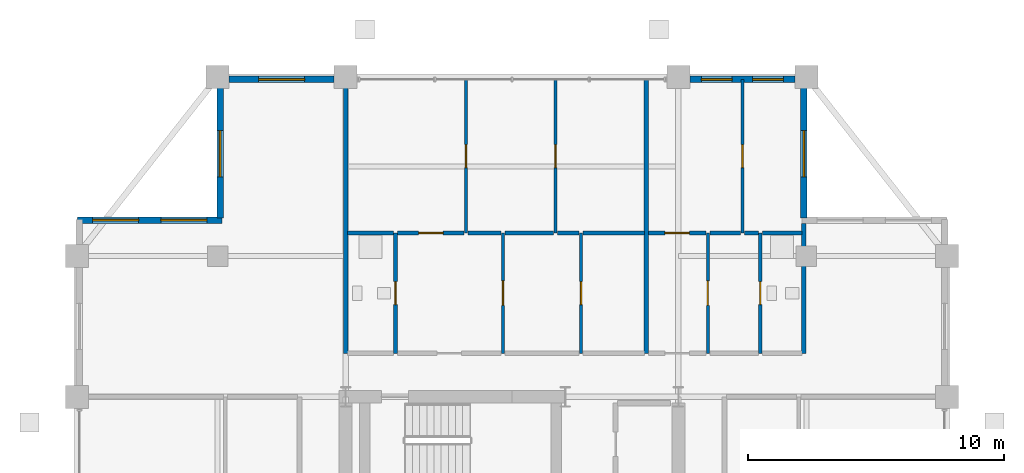
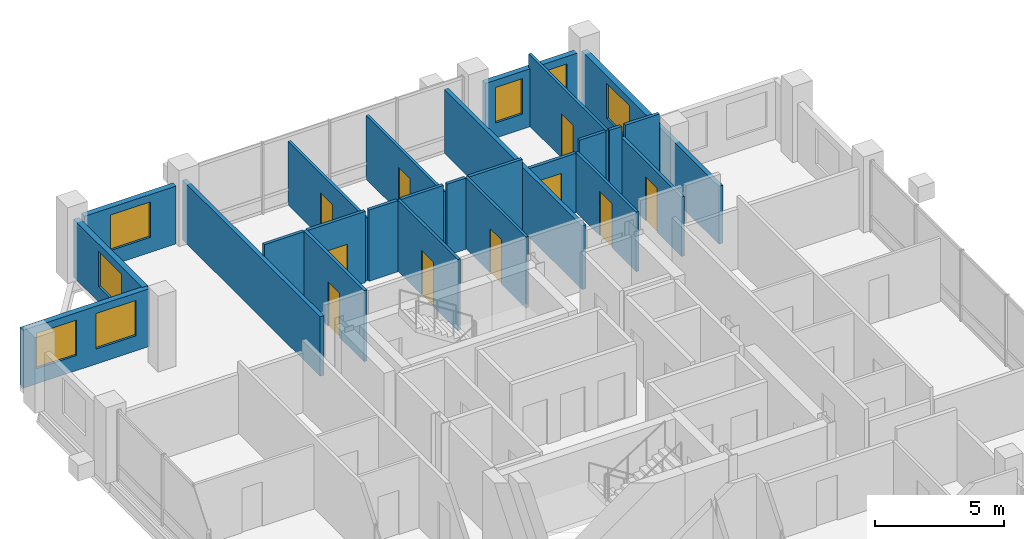
# One storey, part 19 of 22: 26 walls, 10 doors, 7 windows, 17 openings.
"""IFC4 building model written with IfcOpenShell, lengths in metres."""

import ifcopenshell
import ifcopenshell.guid

model = None  # the IFC model being written
_history = None  # IfcOwnerHistory: only IFC2X3 demands one
_inside = {}  # id of a spatial element -> (the spatial element, [elements in it])
_under = {}  # id of a project, library or spatial element -> (it, [spatial elements below it])
_declared = {}  # id of a project -> (the project, [libraries it declares])
_typed = {}  # id of a type object -> (the type object, [elements of that type])
_made_of = {}  # id of a material, layer set ... -> (it, [elements and type objects made of it])


def new_model(schema):
    """Start an empty IFC model of exactly this schema.

    Asked for "IFC4X3", IfcOpenShell would pick the latest addendum, in which some entities
    have other attributes; the version numbers below select the first issue.
    IFC2X3 requires an IfcOwnerHistory on every rooted entity: one is made here for all.
    """
    global model, _history
    if schema == "IFC4X3":
        model = ifcopenshell.file(schema_version=(4, 3, 0, 0))
    else:
        model = ifcopenshell.file(schema=schema)
    _inside.clear()
    _under.clear()
    _declared.clear()
    _typed.clear()
    _made_of.clear()
    _history = None
    if model.schema == "IFC2X3":
        org = make("IfcOrganization", Name="unknown")
        user = make(
            "IfcPersonAndOrganization",
            ThePerson=make("IfcPerson", FamilyName="unknown"),
            TheOrganization=org,
        )
        app = make(
            "IfcApplication",
            ApplicationDeveloper=org,
            Version="unknown",
            ApplicationFullName="unknown",
            ApplicationIdentifier="unknown",
        )
        _history = make(
            "IfcOwnerHistory",
            OwningUser=user,
            OwningApplication=app,
            ChangeAction="ADDED",
            CreationDate=0,
        )
    return model


def make(cls, **values):
    """One entity of the class cls with the attributes given. An attribute that is None is left unset."""
    return model.create_entity(
        cls, **{name: value for name, value in values.items() if value is not None}
    )


def rooted(cls, **values):
    """An entity with a GlobalId (a new one), such as an element, a storey or a relation."""
    return make(cls, GlobalId=ifcopenshell.guid.new(), OwnerHistory=_history, **values)


def si_unit(unit_type, name, prefix=None):
    """IfcSIUnit, for example si_unit("LENGTHUNIT", "METRE", prefix="MILLI")."""
    return make("IfcSIUnit", UnitType=unit_type, Prefix=prefix, Name=name)


def assignment(units):
    """IfcUnitAssignment: the units of a project."""
    return None if units is None else make("IfcUnitAssignment", Units=units)


def point(xyz):
    """IfcCartesianPoint."""
    return None if xyz is None else make("IfcCartesianPoint", Coordinates=xyz)


def direction(xyz):
    """IfcDirection."""
    return None if xyz is None else make("IfcDirection", DirectionRatios=xyz)


def frame(location, z_axis=None, x_axis=None):
    """IfcAxis2Placement3D, a coordinate frame: its origin and axes. An axis left out is left unset."""
    return make(
        "IfcAxis2Placement3D",
        Location=point(location),
        Axis=direction(z_axis),
        RefDirection=direction(x_axis),
    )


def frame_2d(location, x_axis=None):
    """IfcAxis2Placement2D, a coordinate frame in the plane: its origin and x axis."""
    return make(
        "IfcAxis2Placement2D", Location=point(location), RefDirection=direction(x_axis)
    )


def origin():
    """The frame at (0, 0, 0) with its axes left unset."""
    return frame((0.0, 0.0, 0.0))


def place(relative_to, where):
    """IfcLocalPlacement: puts the frame where relative to a parent placement (None: the world)."""
    return make(
        "IfcLocalPlacement", PlacementRelTo=relative_to, RelativePlacement=where
    )


def context(
    kind, dimensions, precision=None, world=None, true_north=None, identifier=None
):
    """IfcGeometricRepresentationContext, for example the 3D "Model" context."""
    return make(
        "IfcGeometricRepresentationContext",
        ContextIdentifier=identifier,
        ContextType=kind,
        CoordinateSpaceDimension=dimensions,
        Precision=precision,
        WorldCoordinateSystem=world,
        TrueNorth=true_north,
    )


def subcontext(parent, identifier, kind, view, scale=None):
    """IfcGeometricRepresentationSubContext, for example "Body" below "Model"."""
    return make(
        "IfcGeometricRepresentationSubContext",
        ContextIdentifier=identifier,
        ContextType=kind,
        ParentContext=parent,
        TargetScale=scale,
        TargetView=view,
    )


def project(units=None, contexts=None):
    """IfcProject with its units and contexts."""
    return rooted(
        "IfcProject",
        Name="project",
        RepresentationContexts=contexts,
        UnitsInContext=assignment(units),
    )


def spatial(cls, under=None, at=None, **own):
    """A site, building, storey or space (cls), placed at a placement, below another one or the project."""
    s = rooted(cls, ObjectPlacement=at, **own)
    if under is not None:
        _under.setdefault(under.id(), (under, []))[1].append(s)
    return s


def profile(cls, at=None, kind="AREA", **sizes):
    """A parametric profile (cls). Its sizes go by their IFC names, for example OverallWidth=200.0."""
    return make(cls, ProfileType=kind, Position=at, **sizes)


def rectangle(**sizes):
    """IfcRectangleProfileDef."""
    return profile("IfcRectangleProfileDef", **sizes)


def extrude(swept, where, along, depth):
    """IfcExtrudedAreaSolid: the profile swept, set in the frame where, extruded along a direction by depth."""
    return make(
        "IfcExtrudedAreaSolid",
        SweptArea=swept,
        Position=where,
        ExtrudedDirection=direction(along),
        Depth=depth,
    )


def shape(context_of_items, identifier, shape_type, items):
    """IfcShapeRepresentation: the items that make up one representation, for example the "Body"."""
    return make(
        "IfcShapeRepresentation",
        ContextOfItems=context_of_items,
        RepresentationIdentifier=identifier,
        RepresentationType=shape_type,
        Items=items,
    )


def material(Name=None, Category=None):
    """IfcMaterial."""
    return make("IfcMaterial", Name=Name, Category=Category)


def layer(
    of_material, thickness, ventilated=None, Name=None, Category=None, Priority=None
):
    """IfcMaterialLayer: one layer of a wall or slab, of a material (None: an air gap)."""
    return make(
        "IfcMaterialLayer",
        Material=of_material,
        LayerThickness=thickness,
        IsVentilated=ventilated,
        Name=Name,
        Category=Category,
        Priority=Priority,
    )


def layer_set(layers, Name=None):
    """IfcMaterialLayerSet."""
    return make("IfcMaterialLayerSet", MaterialLayers=layers, LayerSetName=Name)


def made_of(thing, what):
    """Note that an element or type object is made of a material, layer set ...; save() writes the relation."""
    if what is not None:
        _made_of.setdefault(what.id(), (what, []))[1].append(thing)
    return thing


def type_object(cls, material=None, **own):
    """A type object (cls), such as IfcWallType, which elements share."""
    return made_of(rooted(cls, **own), material)


def element(
    cls,
    number,
    at=None,
    inside=None,
    cuts=None,
    type_object=None,
    material=None,
    context=None,
    identifier="Body",
    shape_type=None,
    held_by="IfcProductDefinitionShape",
    body=None,
    shapes=None,
    **own,
):
    """One element of the class cls, such as IfcWall. Its Tag is "e" and its number.

    at: its placement. inside: the storey or other place that contains it. cuts: it is an
    opening in that element (IfcRelVoidsElement). A single representation is given by context,
    identifier, shape_type and body (its items); several are given by shapes. held_by: the class
    of the entity that holds the representations. save() writes the other relations.
    """
    e = rooted(cls, Tag="e%d" % number, ObjectPlacement=at, **own)
    if body is not None:
        shapes = [shape(context, identifier, shape_type, body)]
    if shapes is not None:
        e.Representation = make(held_by, Representations=shapes)
    if inside is not None:
        _inside.setdefault(inside.id(), (inside, []))[1].append(e)
    if cuts is not None:
        rooted(
            "IfcRelVoidsElement", RelatingBuildingElement=cuts, RelatedOpeningElement=e
        )
    if type_object is not None:
        _typed.setdefault(type_object.id(), (type_object, []))[1].append(e)
    return made_of(e, material)


def fill(opening, filler):
    """IfcRelFillsElement: the door or window that sits in an opening."""
    return rooted(
        "IfcRelFillsElement",
        RelatingOpeningElement=opening,
        RelatedBuildingElement=filler,
    )


def aggregate(whole, parts):
    """IfcRelAggregates: a whole, such as a stair, and the parts it consists of."""
    return rooted("IfcRelAggregates", RelatingObject=whole, RelatedObjects=parts)


def save(model, path):
    """Write the relations noted so far, then the file.

    IfcRelAggregates (storeys below a building ...), IfcRelContainedInSpatialStructure (elements
    in a storey), IfcRelDefinesByType, IfcRelAssociatesMaterial and IfcRelDeclares: one each for
    every whole, place, type object, material and project.
    """
    for whole, parts in _under.values():
        aggregate(whole, parts)
    for where, things in _inside.values():
        rooted(
            "IfcRelContainedInSpatialStructure",
            RelatedElements=things,
            RelatingStructure=where,
        )
    for kind, things in _typed.values():
        rooted("IfcRelDefinesByType", RelatedObjects=things, RelatingType=kind)
    for what, things in _made_of.values():
        rooted("IfcRelAssociatesMaterial", RelatedObjects=things, RelatingMaterial=what)
    for by, libraries in _declared.values():
        rooted("IfcRelDeclares", RelatingContext=by, RelatedDefinitions=libraries)
    model.write(path)


model = new_model("IFC4")

# Units and contexts
model_context = context("Model", 3, precision=1e-05, world=origin(), true_north=direction((0.0, 1.0)))
body_context = subcontext(model_context, "Body", "Model", "MODEL_VIEW")
ifc_project = project(units=[si_unit("LENGTHUNIT", "METRE"), si_unit("AREAUNIT", "SQUARE_METRE"), si_unit("VOLUMEUNIT", "CUBIC_METRE"), si_unit("PLANEANGLEUNIT", "RADIAN"), si_unit("MASSUNIT", "GRAM", prefix="KILO")], contexts=[model_context])

# Site, building, storey
site_placement = place(None, origin())
site = spatial("IfcSite", under=ifc_project, at=site_placement, CompositionType="ELEMENT")
building_placement = place(site_placement, origin())
building = spatial("IfcBuilding", under=site, at=building_placement, Name="Barlavira Tower and Art Museum", CompositionType="ELEMENT")
storey_placement = place(building_placement, frame((0.0, 0.0, 243.89990234375)))
storey = spatial("IfcBuildingStorey", under=building, at=storey_placement, Name="L63", CompositionType="ELEMENT", Elevation=243.89990234375)

# Wall, opening, door
ifc_material_1 = material(Name="Gypsum acoustic stud partition", Category="gypsum")
ifc_layer_1 = layer(ifc_material_1, 0.1201171875, Name="Gypsum acoustic stud partition")
ifc_layer_set_1 = layer_set([ifc_layer_1], Name="Gypsum acoustic stud partition")
wall_type_1 = type_object("IfcWallType", Name="Apartment Internal Acoustic Partition 120", PredefinedType="PARTITIONING", material=ifc_layer_set_1)
wall_1_placement = place(storey_placement, frame((-1.800048828125, 13.89990234375, 0.0), z_axis=(0.0, 0.0, 1.0), x_axis=(0.0, 1.0, 0.0)))
wall_1 = element("IfcWall", 1, at=wall_1_placement, inside=storey, type_object=wall_type_1, Name="L63 Partition Wall 10", PredefinedType="PARTITIONING", context=body_context, shape_type="SweptSolid", body=[
    extrude(rectangle(XDim=6.0, YDim=0.1201171875, at=frame_2d((3.0, 0.0))), origin(), (0.0, 0.0, 1.0), 3.01806640625),
])
opening_1_placement = place(wall_1_placement, frame((2.550048828125, 0.0, 0.0)))
opening_1 = element("IfcOpeningElement", 2, at=opening_1_placement, cuts=wall_1, Name="Opening D-01", PredefinedType="OPENING", context=body_context, shape_type="SweptSolid", body=[
    extrude(rectangle(XDim=0.89990234375, YDim=2.10009765625, at=frame_2d((0.449951171875, 1.050048828125))), frame((0.0, 0.070068359375, 0.0), z_axis=(0.0, -1.0, 0.0), x_axis=(1.0, 0.0, 0.0)), (0.0, 0.0, 1.0), 0.14013671875),
])
ifc_material_2 = material(Name="Engineered coastal hardwood", Category="wood")
door_type_1 = type_object("IfcDoorType", Name="Internal Bedroom Timber Flush Door 900x2100", OperationType="NOTDEFINED", PredefinedType="DOOR", material=ifc_material_2)
door_1_placement = place(opening_1_placement, origin())
door_1 = element("IfcDoor", 3, at=door_1_placement, inside=storey, type_object=door_type_1, Name="Apartment N1 Bedroom 1 Door", OperationType="SINGLE_SWING_LEFT", OverallHeight=2.10009765625, OverallWidth=0.89990234375, PredefinedType="DOOR", context=body_context, shape_type="SweptSolid", body=[
    extrude(rectangle(XDim=0.89990234375, YDim=2.10009765625, at=frame_2d((0.449951171875, 1.050048828125))), frame((0.0, 0.02490234375, 0.0), z_axis=(0.0, -1.0, 0.0), x_axis=(1.0, 0.0, 0.0)), (0.0, 0.0, 1.0), 0.050048828125),
])
fill(opening_1, door_1)

wall_2_placement = place(storey_placement, frame((-0.35009765625, 9.199951171875, 0.0), z_axis=(0.0, 0.0, 1.0), x_axis=(0.0, 1.0, 0.0)))
wall_2 = element("IfcWall", 4, at=wall_2_placement, inside=storey, type_object=wall_type_1, Name="L63 Partition Wall 12", PredefinedType="PARTITIONING", context=body_context, shape_type="SweptSolid", body=[
    extrude(rectangle(XDim=4.699951171875, YDim=0.1201171875, at=frame_2d((2.35009765625, 0.0))), origin(), (0.0, 0.0, 1.0), 3.380126953125),
])
opening_2_placement = place(wall_2_placement, frame((1.875, 0.0, 0.0)))
opening_2 = element("IfcOpeningElement", 5, at=opening_2_placement, cuts=wall_2, Name="Opening D-02", PredefinedType="OPENING", context=body_context, shape_type="SweptSolid", body=[
    extrude(rectangle(XDim=0.949951171875, YDim=2.10009765625, at=frame_2d((0.47509765625, 1.050048828125))), frame((0.0, 0.070068359375, 0.0), z_axis=(0.0, -1.0, 0.0), x_axis=(1.0, 0.0, 0.0)), (0.0, 0.0, 1.0), 0.14013671875),
])
door_type_2 = type_object("IfcDoorType", Name="Living and Salon Glazed-Leaf Door 950x2100", OperationType="NOTDEFINED", PredefinedType="DOOR", material=ifc_material_2)
door_2_placement = place(opening_2_placement, origin())
door_2 = element("IfcDoor", 6, at=door_2_placement, inside=storey, type_object=door_type_2, Name="Apartment N1 Kitchen Door", OperationType="SINGLE_SWING_RIGHT", OverallHeight=2.10009765625, OverallWidth=0.949951171875, PredefinedType="DOOR", context=body_context, shape_type="SweptSolid", body=[
    extrude(rectangle(XDim=0.949951171875, YDim=2.10009765625, at=frame_2d((0.47509765625, 1.050048828125))), frame((0.0, 0.02490234375, 0.0), z_axis=(0.0, -1.0, 0.0), x_axis=(1.0, 0.0, 0.0)), (0.0, 0.0, 1.0), 0.050048828125),
])
fill(opening_2, door_2)

wall_3_placement = place(storey_placement, frame((1.699951171875, 13.89990234375, 0.0), z_axis=(0.0, 0.0, 1.0), x_axis=(0.0, 1.0, 0.0)))
wall_3 = element("IfcWall", 7, at=wall_3_placement, inside=storey, type_object=wall_type_1, Name="L63 Partition Wall 14", PredefinedType="PARTITIONING", context=body_context, shape_type="SweptSolid", body=[
    extrude(rectangle(XDim=6.0, YDim=0.1201171875, at=frame_2d((3.0, 0.0))), origin(), (0.0, 0.0, 1.0), 3.01806640625),
])
opening_3_placement = place(wall_3_placement, frame((2.550048828125, 0.0, 0.0)))
opening_3 = element("IfcOpeningElement", 8, at=opening_3_placement, cuts=wall_3, Name="Opening D-01", PredefinedType="OPENING", context=body_context, shape_type="SweptSolid", body=[
    extrude(rectangle(XDim=0.89990234375, YDim=2.10009765625, at=frame_2d((0.449951171875, 1.050048828125))), frame((0.0, 0.070068359375, 0.0), z_axis=(0.0, -1.0, 0.0), x_axis=(1.0, 0.0, 0.0)), (0.0, 0.0, 1.0), 0.14013671875),
])
door_3_placement = place(opening_3_placement, origin())
door_3 = element("IfcDoor", 9, at=door_3_placement, inside=storey, type_object=door_type_1, Name="Apartment N1 Bedroom 2 Door", OperationType="SINGLE_SWING_RIGHT", OverallHeight=2.10009765625, OverallWidth=0.89990234375, PredefinedType="DOOR", context=body_context, shape_type="SweptSolid", body=[
    extrude(rectangle(XDim=0.89990234375, YDim=2.10009765625, at=frame_2d((0.449951171875, 1.050048828125))), frame((0.0, 0.02490234375, 0.0), z_axis=(0.0, -1.0, 0.0), x_axis=(1.0, 0.0, 0.0)), (0.0, 0.0, 1.0), 0.050048828125),
])
fill(opening_3, door_3)

wall_4_placement = place(storey_placement, frame((2.699951171875, 9.199951171875, 0.0), z_axis=(0.0, 0.0, 1.0), x_axis=(0.0, 1.0, 0.0)))
wall_4 = element("IfcWall", 10, at=wall_4_placement, inside=storey, type_object=wall_type_1, Name="L63 Partition Wall 16", PredefinedType="PARTITIONING", context=body_context, shape_type="SweptSolid", body=[
    extrude(rectangle(XDim=4.699951171875, YDim=0.1201171875, at=frame_2d((2.35009765625, 0.0))), origin(), (0.0, 0.0, 1.0), 3.380126953125),
])
opening_4_placement = place(wall_4_placement, frame((1.89990234375, 0.0, 0.0)))
opening_4 = element("IfcOpeningElement", 11, at=opening_4_placement, cuts=wall_4, Name="Opening D-01", PredefinedType="OPENING", context=body_context, shape_type="SweptSolid", body=[
    extrude(rectangle(XDim=0.89990234375, YDim=2.10009765625, at=frame_2d((0.449951171875, 1.050048828125))), frame((0.0, 0.070068359375, 0.0), z_axis=(0.0, -1.0, 0.0), x_axis=(1.0, 0.0, 0.0)), (0.0, 0.0, 1.0), 0.14013671875),
])
door_4_placement = place(opening_4_placement, origin())
door_4 = element("IfcDoor", 12, at=door_4_placement, inside=storey, type_object=door_type_1, Name="Apartment N1 Walk-In Dressing Room Door", OperationType="SINGLE_SWING_LEFT", OverallHeight=2.10009765625, OverallWidth=0.89990234375, PredefinedType="DOOR", context=body_context, shape_type="SweptSolid", body=[
    extrude(rectangle(XDim=0.89990234375, YDim=2.10009765625, at=frame_2d((0.449951171875, 1.050048828125))), frame((0.0, 0.02490234375, 0.0), z_axis=(0.0, -1.0, 0.0), x_axis=(1.0, 0.0, 0.0)), (0.0, 0.0, 1.0), 0.050048828125),
])
fill(opening_4, door_4)

wall_5_placement = place(storey_placement, frame((7.64990234375, 9.199951171875, 0.0), z_axis=(0.0, 0.0, 1.0), x_axis=(0.0, 1.0, 0.0)))
wall_5 = element("IfcWall", 13, at=wall_5_placement, inside=storey, type_object=wall_type_1, Name="L63 Partition Wall 22", PredefinedType="PARTITIONING", context=body_context, shape_type="SweptSolid", body=[
    extrude(rectangle(XDim=4.699951171875, YDim=0.1201171875, at=frame_2d((2.35009765625, 0.0))), origin(), (0.0, 0.0, 1.0), 2.826171875),
])
opening_5_placement = place(wall_5_placement, frame((1.875, 0.0, 0.0)))
opening_5 = element("IfcOpeningElement", 14, at=opening_5_placement, cuts=wall_5, Name="Opening D-02", PredefinedType="OPENING", context=body_context, shape_type="SweptSolid", body=[
    extrude(rectangle(XDim=0.949951171875, YDim=2.10009765625, at=frame_2d((0.47509765625, 1.050048828125))), frame((0.0, 0.070068359375, 0.0), z_axis=(0.0, -1.0, 0.0), x_axis=(1.0, 0.0, 0.0)), (0.0, 0.0, 1.0), 0.14013671875),
])
door_5_placement = place(opening_5_placement, origin())
door_5 = element("IfcDoor", 15, at=door_5_placement, inside=storey, type_object=door_type_2, Name="Apartment N2 Kitchen Door", OperationType="SINGLE_SWING_RIGHT", OverallHeight=2.10009765625, OverallWidth=0.949951171875, PredefinedType="DOOR", context=body_context, shape_type="SweptSolid", body=[
    extrude(rectangle(XDim=0.949951171875, YDim=2.10009765625, at=frame_2d((0.47509765625, 1.050048828125))), frame((0.0, 0.02490234375, 0.0), z_axis=(0.0, -1.0, 0.0), x_axis=(1.0, 0.0, 0.0)), (0.0, 0.0, 1.0), 0.050048828125),
])
fill(opening_5, door_5)

wall_6_placement = place(storey_placement, frame((9.0, 13.89990234375, 0.0), z_axis=(0.0, 0.0, 1.0), x_axis=(0.0, 1.0, 0.0)))
wall_6 = element("IfcWall", 16, at=wall_6_placement, inside=storey, type_object=wall_type_1, Name="L63 Partition Wall 25", PredefinedType="PARTITIONING", context=body_context, shape_type="SweptSolid", body=[
    extrude(rectangle(XDim=6.0, YDim=0.1201171875, at=frame_2d((3.0, 0.0))), origin(), (0.0, 0.0, 1.0), 3.380126953125),
])
opening_6_placement = place(wall_6_placement, frame((2.550048828125, 0.0, 0.0)))
opening_6 = element("IfcOpeningElement", 17, at=opening_6_placement, cuts=wall_6, Name="Opening D-01", PredefinedType="OPENING", context=body_context, shape_type="SweptSolid", body=[
    extrude(rectangle(XDim=0.89990234375, YDim=2.10009765625, at=frame_2d((0.449951171875, 1.050048828125))), frame((0.0, 0.070068359375, 0.0), z_axis=(0.0, -1.0, 0.0), x_axis=(1.0, 0.0, 0.0)), (0.0, 0.0, 1.0), 0.14013671875),
])
door_6_placement = place(opening_6_placement, origin())
door_6 = element("IfcDoor", 18, at=door_6_placement, inside=storey, type_object=door_type_1, Name="Apartment N2 Bedroom 1 Door", OperationType="SINGLE_SWING_LEFT", OverallHeight=2.10009765625, OverallWidth=0.89990234375, PredefinedType="DOOR", context=body_context, shape_type="SweptSolid", body=[
    extrude(rectangle(XDim=0.89990234375, YDim=2.10009765625, at=frame_2d((0.449951171875, 1.050048828125))), frame((0.0, 0.02490234375, 0.0), z_axis=(0.0, -1.0, 0.0), x_axis=(1.0, 0.0, 0.0)), (0.0, 0.0, 1.0), 0.050048828125),
])
fill(opening_6, door_6)

# Walls
ifc_layer_2 = layer(ifc_material_1, 0.179931640625, Name="Gypsum acoustic stud partition")
ifc_layer_set_2 = layer_set([ifc_layer_2], Name="Gypsum acoustic stud partition")
wall_type_2 = type_object("IfcWallType", Name="Inter-Tenancy Party Partition Wall 180", PredefinedType="PARTITIONING", material=ifc_layer_set_2)
wall_7_placement = place(storey_placement, frame((-6.5, 9.199951171875, 0.0), z_axis=(0.0, 0.0, 1.0), x_axis=(0.0, 1.0, 0.0)))
element("IfcWall", 19, at=wall_7_placement, inside=storey, type_object=wall_type_2, Name="L63 Partition Wall 4", PredefinedType="PARTITIONING", context=body_context, shape_type="SweptSolid", body=[
    extrude(rectangle(XDim=10.699951171875, YDim=0.179931640625, at=frame_2d((5.35009765625, 0.0))), origin(), (0.0, 0.0, 1.0), 2.826171875),
])
wall_8_placement = place(storey_placement, frame((5.25, 9.199951171875, 0.0), z_axis=(0.0, 0.0, 1.0), x_axis=(0.0, 1.0, 0.0)))
element("IfcWall", 20, at=wall_8_placement, inside=storey, type_object=wall_type_2, Name="L63 Partition Wall 20", PredefinedType="PARTITIONING", context=body_context, shape_type="SweptSolid", body=[
    extrude(rectangle(XDim=10.699951171875, YDim=0.179931640625, at=frame_2d((5.35009765625, 0.0))), origin(), (0.0, 0.0, 1.0), 3.01806640625),
])
wall_9_placement = place(storey_placement, frame((11.39990234375, 9.199951171875, 0.0), z_axis=(0.0, 0.0, 1.0), x_axis=(0.0, 1.0, 0.0)))
element("IfcWall", 21, at=wall_9_placement, inside=storey, type_object=wall_type_2, Name="L63 Partition Wall 29", PredefinedType="PARTITIONING", context=body_context, shape_type="SweptSolid", body=[
    extrude(rectangle(XDim=5.070068359375, YDim=0.179931640625, at=frame_2d((2.53515625, 0.0))), origin(), (0.0, 0.0, 1.0), 2.748046875),
])

# Wall, opening, door
ifc_layer_3 = layer(ifc_material_1, 0.139892578125, Name="Gypsum acoustic stud partition")
ifc_layer_set_3 = layer_set([ifc_layer_3], Name="Gypsum acoustic stud partition")
wall_type_3 = type_object("IfcWallType", Name="Moisture-Resistant Bathroom Partition 140", PredefinedType="PARTITIONING", material=ifc_layer_set_3)
wall_10_placement = place(storey_placement, frame((-4.550048828125, 9.199951171875, 0.0), z_axis=(0.0, 0.0, 1.0), x_axis=(0.0, 1.0, 0.0)))
wall_10 = element("IfcWall", 22, at=wall_10_placement, inside=storey, type_object=wall_type_3, Name="L63 Partition Wall 7", PredefinedType="PARTITIONING", context=body_context, shape_type="SweptSolid", body=[
    extrude(rectangle(XDim=4.699951171875, YDim=0.139892578125, at=frame_2d((2.35009765625, 0.0))), origin(), (0.0, 0.0, 1.0), 3.380126953125),
])
opening_7_placement = place(wall_10_placement, frame((1.89990234375, 0.0, 0.0)))
opening_7 = element("IfcOpeningElement", 23, at=opening_7_placement, cuts=wall_10, Name="Opening D-WC", PredefinedType="OPENING", context=body_context, shape_type="SweptSolid", body=[
    extrude(rectangle(XDim=0.89990234375, YDim=2.10009765625, at=frame_2d((0.449951171875, 1.050048828125))), frame((0.0, 0.080078125, 0.0), z_axis=(0.0, -1.0, 0.0), x_axis=(1.0, 0.0, 0.0)), (0.0, 0.0, 1.0), 0.159912109375),
])
door_type_3 = type_object("IfcDoorType", Name="Accessible Bathroom Flush Door 900x2100", OperationType="NOTDEFINED", PredefinedType="DOOR", material=ifc_material_2)
door_7_placement = place(opening_7_placement, origin())
door_7 = element("IfcDoor", 24, at=door_7_placement, inside=storey, type_object=door_type_3, Name="Apartment N1 Hall Bathroom Door", OperationType="SINGLE_SWING_RIGHT", OverallHeight=2.10009765625, OverallWidth=0.89990234375, PredefinedType="DOOR", context=body_context, shape_type="SweptSolid", body=[
    extrude(rectangle(XDim=0.89990234375, YDim=2.10009765625, at=frame_2d((0.449951171875, 1.050048828125))), frame((0.0, 0.02490234375, 0.0), z_axis=(0.0, -1.0, 0.0), x_axis=(1.0, 0.0, 0.0)), (0.0, 0.0, 1.0), 0.050048828125),
])
fill(opening_7, door_7)

wall_11_placement = place(storey_placement, frame((9.699951171875, 9.199951171875, 0.0), z_axis=(0.0, 0.0, 1.0), x_axis=(0.0, 1.0, 0.0)))
wall_11 = element("IfcWall", 25, at=wall_11_placement, inside=storey, type_object=wall_type_3, Name="L63 Partition Wall 26", PredefinedType="PARTITIONING", context=body_context, shape_type="SweptSolid", body=[
    extrude(rectangle(XDim=4.699951171875, YDim=0.139892578125, at=frame_2d((2.35009765625, 0.0))), origin(), (0.0, 0.0, 1.0), 2.826171875),
])
opening_8_placement = place(wall_11_placement, frame((1.89990234375, 0.0, 0.0)))
opening_8 = element("IfcOpeningElement", 26, at=opening_8_placement, cuts=wall_11, Name="Opening D-WC", PredefinedType="OPENING", context=body_context, shape_type="SweptSolid", body=[
    extrude(rectangle(XDim=0.89990234375, YDim=2.10009765625, at=frame_2d((0.449951171875, 1.050048828125))), frame((0.0, 0.080078125, 0.0), z_axis=(0.0, -1.0, 0.0), x_axis=(1.0, 0.0, 0.0)), (0.0, 0.0, 1.0), 0.159912109375),
])
door_8_placement = place(opening_8_placement, origin())
door_8 = element("IfcDoor", 27, at=door_8_placement, inside=storey, type_object=door_type_3, Name="Apartment N2 Hall Bathroom Door", OperationType="SINGLE_SWING_LEFT", OverallHeight=2.10009765625, OverallWidth=0.89990234375, PredefinedType="DOOR", context=body_context, shape_type="SweptSolid", body=[
    extrude(rectangle(XDim=0.89990234375, YDim=2.10009765625, at=frame_2d((0.449951171875, 1.050048828125))), frame((0.0, 0.02490234375, 0.0), z_axis=(0.0, -1.0, 0.0), x_axis=(1.0, 0.0, 0.0)), (0.0, 0.0, 1.0), 0.050048828125),
])
fill(opening_8, door_8)

# Wall
wall_12_placement = place(storey_placement, frame((-6.419921875, 13.89990234375, 0.0), z_axis=(0.0, 0.0, 1.0), x_axis=(1.0, 0.0, 0.0)))
element("IfcWall", 28, at=wall_12_placement, inside=storey, type_object=wall_type_3, Name="L63 Partition Wall 74", PredefinedType="PARTITIONING", context=body_context, shape_type="SweptSolid", body=[
    extrude(rectangle(XDim=1.7900390625, YDim=0.139892578125, at=frame_2d((0.89501953125, 0.0))), origin(), (0.0, 0.0, 1.0), 3.380126953125),
])

# Wall, opening, door
wall_13_placement = place(storey_placement, frame((-4.469970703125, 13.89990234375, 0.0), z_axis=(0.0, 0.0, 1.0), x_axis=(1.0, 0.0, 0.0)))
wall_13 = element("IfcWall", 29, at=wall_13_placement, inside=storey, type_object=wall_type_3, Name="L63 Partition Wall 75", PredefinedType="PARTITIONING", context=body_context, shape_type="SweptSolid", body=[
    extrude(rectangle(XDim=2.590087890625, YDim=0.139892578125, at=frame_2d((1.294921875, 0.0))), origin(), (0.0, 0.0, 1.0), 3.380126953125),
])
opening_9_placement = place(wall_13_placement, frame((0.824951171875, 0.0, 0.0)))
opening_9 = element("IfcOpeningElement", 30, at=opening_9_placement, cuts=wall_13, Name="Opening D-02", PredefinedType="OPENING", context=body_context, shape_type="SweptSolid", body=[
    extrude(rectangle(XDim=0.949951171875, YDim=2.10009765625, at=frame_2d((0.47509765625, 1.050048828125))), frame((0.0, 0.080078125, 0.0), z_axis=(0.0, -1.0, 0.0), x_axis=(1.0, 0.0, 0.0)), (0.0, 0.0, 1.0), 0.159912109375),
])
door_9_placement = place(opening_9_placement, origin())
door_9 = element("IfcDoor", 31, at=door_9_placement, inside=storey, type_object=door_type_2, Name="Apartment N1 Living Lounge Door", OperationType="SINGLE_SWING_RIGHT", OverallHeight=2.10009765625, OverallWidth=0.949951171875, PredefinedType="DOOR", context=body_context, shape_type="SweptSolid", body=[
    extrude(rectangle(XDim=0.949951171875, YDim=2.10009765625, at=frame_2d((0.47509765625, 1.050048828125))), frame((0.0, 0.02490234375, 0.0), z_axis=(0.0, -1.0, 0.0), x_axis=(1.0, 0.0, 0.0)), (0.0, 0.0, 1.0), 0.050048828125),
])
fill(opening_9, door_9)

# Walls
wall_14_placement = place(storey_placement, frame((-1.719970703125, 13.89990234375, 0.0), z_axis=(0.0, 0.0, 1.0), x_axis=(1.0, 0.0, 0.0)))
element("IfcWall", 32, at=wall_14_placement, inside=storey, type_object=wall_type_3, Name="L63 Partition Wall 76", PredefinedType="PARTITIONING", context=body_context, shape_type="SweptSolid", body=[
    extrude(rectangle(XDim=1.2900390625, YDim=0.139892578125, at=frame_2d((0.64501953125, 0.0))), origin(), (0.0, 0.0, 1.0), 3.380126953125),
])
wall_15_placement = place(storey_placement, frame((-0.27001953125, 13.89990234375, 0.0), z_axis=(0.0, 0.0, 1.0), x_axis=(1.0, 0.0, 0.0)))
element("IfcWall", 33, at=wall_15_placement, inside=storey, type_object=wall_type_3, Name="L63 Partition Wall 77", PredefinedType="PARTITIONING", context=body_context, shape_type="SweptSolid", body=[
    extrude(rectangle(XDim=1.89013671875, YDim=0.139892578125, at=frame_2d((0.945068359375, 0.0))), origin(), (0.0, 0.0, 1.0), 3.380126953125),
])
wall_16_placement = place(storey_placement, frame((1.780029296875, 13.89990234375, 0.0), z_axis=(0.0, 0.0, 1.0), x_axis=(1.0, 0.0, 0.0)))
element("IfcWall", 34, at=wall_16_placement, inside=storey, type_object=wall_type_3, Name="L63 Partition Wall 78", PredefinedType="PARTITIONING", context=body_context, shape_type="SweptSolid", body=[
    extrude(rectangle(XDim=0.840087890625, YDim=0.139892578125, at=frame_2d((0.419921875, 0.0))), origin(), (0.0, 0.0, 1.0), 3.380126953125),
])
wall_17_placement = place(storey_placement, frame((2.780029296875, 13.89990234375, 0.0), z_axis=(0.0, 0.0, 1.0), x_axis=(1.0, 0.0, 0.0)))
element("IfcWall", 35, at=wall_17_placement, inside=storey, type_object=wall_type_3, Name="L63 Partition Wall 79", PredefinedType="PARTITIONING", context=body_context, shape_type="SweptSolid", body=[
    extrude(rectangle(XDim=2.389892578125, YDim=0.139892578125, at=frame_2d((1.19482421875, 0.0))), origin(), (0.0, 0.0, 1.0), 3.380126953125),
])

# Wall, opening, door
wall_18_placement = place(storey_placement, frame((5.330078125, 13.89990234375, 0.0), z_axis=(0.0, 0.0, 1.0), x_axis=(1.0, 0.0, 0.0)))
wall_18 = element("IfcWall", 36, at=wall_18_placement, inside=storey, type_object=wall_type_3, Name="L63 Partition Wall 80", PredefinedType="PARTITIONING", context=body_context, shape_type="SweptSolid", body=[
    extrude(rectangle(XDim=2.239990234375, YDim=0.139892578125, at=frame_2d((1.1201171875, 0.0))), origin(), (0.0, 0.0, 1.0), 2.826171875),
])
opening_10_placement = place(wall_18_placement, frame((0.64501953125, 0.0, 0.0)))
opening_10 = element("IfcOpeningElement", 37, at=opening_10_placement, cuts=wall_18, Name="Opening D-02", PredefinedType="OPENING", context=body_context, shape_type="SweptSolid", body=[
    extrude(rectangle(XDim=0.949951171875, YDim=2.10009765625, at=frame_2d((0.47509765625, 1.050048828125))), frame((0.0, 0.080078125, 0.0), z_axis=(0.0, -1.0, 0.0), x_axis=(1.0, 0.0, 0.0)), (0.0, 0.0, 1.0), 0.159912109375),
])
door_10_placement = place(opening_10_placement, origin())
door_10 = element("IfcDoor", 38, at=door_10_placement, inside=storey, type_object=door_type_2, Name="Apartment N2 Living Lounge Door", OperationType="SINGLE_SWING_RIGHT", OverallHeight=2.10009765625, OverallWidth=0.949951171875, PredefinedType="DOOR", context=body_context, shape_type="SweptSolid", body=[
    extrude(rectangle(XDim=0.949951171875, YDim=2.10009765625, at=frame_2d((0.47509765625, 1.050048828125))), frame((0.0, 0.02490234375, 0.0), z_axis=(0.0, -1.0, 0.0), x_axis=(1.0, 0.0, 0.0)), (0.0, 0.0, 1.0), 0.050048828125),
])
fill(opening_10, door_10)

# Walls
wall_19_placement = place(storey_placement, frame((7.72998046875, 13.89990234375, 0.0), z_axis=(0.0, 0.0, 1.0), x_axis=(1.0, 0.0, 0.0)))
element("IfcWall", 39, at=wall_19_placement, inside=storey, type_object=wall_type_3, Name="L63 Partition Wall 81", PredefinedType="PARTITIONING", context=body_context, shape_type="SweptSolid", body=[
    extrude(rectangle(XDim=1.18994140625, YDim=0.139892578125, at=frame_2d((0.594970703125, 0.0))), origin(), (0.0, 0.0, 1.0), 3.380126953125),
])
wall_20_placement = place(storey_placement, frame((9.080078125, 13.89990234375, 0.0), z_axis=(0.0, 0.0, 1.0), x_axis=(1.0, 0.0, 0.0)))
element("IfcWall", 40, at=wall_20_placement, inside=storey, type_object=wall_type_3, Name="L63 Partition Wall 82", PredefinedType="PARTITIONING", context=body_context, shape_type="SweptSolid", body=[
    extrude(rectangle(XDim=0.5400390625, YDim=0.139892578125, at=frame_2d((0.27001953125, 0.0))), origin(), (0.0, 0.0, 1.0), 3.380126953125),
])
wall_21_placement = place(storey_placement, frame((9.780029296875, 13.89990234375, 0.0), z_axis=(0.0, 0.0, 1.0), x_axis=(1.0, 0.0, 0.0)))
element("IfcWall", 41, at=wall_21_placement, inside=storey, type_object=wall_type_3, Name="L63 Partition Wall 83", PredefinedType="PARTITIONING", context=body_context, shape_type="SweptSolid", body=[
    extrude(rectangle(XDim=1.5400390625, YDim=0.139892578125, at=frame_2d((0.77001953125, 0.0))), origin(), (0.0, 0.0, 1.0), 3.380126953125),
])

# Wall, openings, windows
ifc_material_3 = material(Name="Precast concrete C40", Category="concrete")
ifc_layer_4 = layer(ifc_material_3, 0.25, Name="Precast concrete C40")
ifc_layer_set_4 = layer_set([ifc_layer_4], Name="Precast concrete C40")
wall_type_4 = type_object("IfcWallType", Name="Notched Corner Spandrel Wall 250 Precast Concrete C40", PredefinedType="SOLIDWALL", material=ifc_layer_set_4)
wall_22_placement = place(storey_placement, frame((11.054931640625, 19.89990234375, 0.0), z_axis=(0.0, 0.0, 1.0), x_axis=(-1.0, 0.0, 0.0)))
wall_22 = element("IfcWall", 42, at=wall_22_placement, inside=storey, type_object=wall_type_4, Name="L63 Coastal Facade Pier Wall CW4-L63-N-1", PredefinedType="SOLIDWALL", context=body_context, shape_type="SweptSolid", body=[
    extrude(rectangle(XDim=4.10986328125, YDim=0.25, at=frame_2d((2.054931640625, 0.0))), origin(), (0.0, 0.0, 1.0), 2.748046875),
])
opening_11_placement = place(wall_22_placement, frame((0.449951171875, 0.0, 0.719970703125)))
opening_11 = element("IfcOpeningElement", 43, at=opening_11_placement, cuts=wall_22, Name="Opening WN-05", PredefinedType="OPENING", context=body_context, shape_type="SweptSolid", body=[
    extrude(rectangle(XDim=1.199951171875, YDim=1.679931640625, at=frame_2d((0.60009765625, 0.83984375))), frame((0.0, 0.135009765625, 0.0), z_axis=(0.0, -1.0, 0.0), x_axis=(1.0, 0.0, 0.0)), (0.0, 0.0, 1.0), 0.27001953125),
])
opening_12_placement = place(wall_22_placement, frame((2.4599609375, 0.0, 0.719970703125)))
opening_12 = element("IfcOpeningElement", 44, at=opening_12_placement, cuts=wall_22, Name="Opening WN-05", PredefinedType="OPENING", context=body_context, shape_type="SweptSolid", body=[
    extrude(rectangle(XDim=1.199951171875, YDim=1.679931640625, at=frame_2d((0.60009765625, 0.83984375))), frame((0.0, 0.135009765625, 0.0), z_axis=(0.0, -1.0, 0.0), x_axis=(1.0, 0.0, 0.0)), (0.0, 0.0, 1.0), 0.27001953125),
])
ifc_material_4 = material(Name="Low-iron coastal laminated glass", Category="glass")
window_type_1 = type_object("IfcWindowType", Name="Recessed Flank Pier Punch Window 1200x1680", PartitioningType="SINGLE_PANEL", PredefinedType="WINDOW", material=ifc_material_4)
window_1_placement = place(opening_11_placement, origin())
window_1 = element("IfcWindow", 45, at=window_1_placement, inside=storey, type_object=window_type_1, Name="L63 Punched Facade Window EWP-CW4-L63-N-1-1", OverallHeight=1.679931640625, OverallWidth=1.199951171875, PartitioningType="SINGLE_PANEL", PredefinedType="WINDOW", context=body_context, shape_type="SweptSolid", body=[
    extrude(rectangle(XDim=1.199951171875, YDim=1.679931640625, at=frame_2d((0.60009765625, 0.83984375))), frame((0.0, 0.030029296875, 0.0), z_axis=(0.0, -1.0, 0.0), x_axis=(1.0, 0.0, 0.0)), (0.0, 0.0, 1.0), 0.06005859375),
])
fill(opening_11, window_1)
window_2_placement = place(opening_12_placement, origin())
window_2 = element("IfcWindow", 46, at=window_2_placement, inside=storey, type_object=window_type_1, Name="L63 Punched Facade Window EWP-CW4-L63-N-1-2", OverallHeight=1.679931640625, OverallWidth=1.199951171875, PartitioningType="SINGLE_PANEL", PredefinedType="WINDOW", context=body_context, shape_type="SweptSolid", body=[
    extrude(rectangle(XDim=1.199951171875, YDim=1.679931640625, at=frame_2d((0.60009765625, 0.83984375))), frame((0.0, 0.030029296875, 0.0), z_axis=(0.0, -1.0, 0.0), x_axis=(1.0, 0.0, 0.0)), (0.0, 0.0, 1.0), 0.06005859375),
])
fill(opening_12, window_2)

# Wall, opening, window
wall_23_placement = place(storey_placement, frame((-6.945068359375, 19.89990234375, 0.0), z_axis=(0.0, 0.0, 1.0), x_axis=(-1.0, 0.0, 0.0)))
wall_23 = element("IfcWall", 47, at=wall_23_placement, inside=storey, type_object=wall_type_4, Name="L63 Coastal Facade Pier Wall CW4-L63-N-3", PredefinedType="SOLIDWALL", context=body_context, shape_type="SweptSolid", body=[
    extrude(rectangle(XDim=4.10986328125, YDim=0.25, at=frame_2d((2.054931640625, 0.0))), origin(), (0.0, 0.0, 1.0), 2.748046875),
])
opening_13_placement = place(wall_23_placement, frame((1.155029296875, 0.0, 0.719970703125)))
opening_13 = element("IfcOpeningElement", 48, at=opening_13_placement, cuts=wall_23, Name="Opening WN-01", PredefinedType="OPENING", context=body_context, shape_type="SweptSolid", body=[
    extrude(rectangle(XDim=1.800048828125, YDim=1.679931640625, at=frame_2d((0.89990234375, 0.83984375))), frame((0.0, 0.135009765625, 0.0), z_axis=(0.0, -1.0, 0.0), x_axis=(1.0, 0.0, 0.0)), (0.0, 0.0, 1.0), 0.27001953125),
])
window_type_2 = type_object("IfcWindowType", Name="Recessed Notch Corner Punch Window 1800x1680", PartitioningType="SINGLE_PANEL", PredefinedType="WINDOW", material=ifc_material_4)
window_3_placement = place(opening_13_placement, origin())
window_3 = element("IfcWindow", 49, at=window_3_placement, inside=storey, type_object=window_type_2, Name="L63 Punched Facade Window EWP-CW4-L63-N-3-1", OverallHeight=1.679931640625, OverallWidth=1.800048828125, PartitioningType="SINGLE_PANEL", PredefinedType="WINDOW", context=body_context, shape_type="SweptSolid", body=[
    extrude(rectangle(XDim=1.800048828125, YDim=1.679931640625, at=frame_2d((0.89990234375, 0.83984375))), frame((0.0, 0.030029296875, 0.0), z_axis=(0.0, -1.0, 0.0), x_axis=(1.0, 0.0, 0.0)), (0.0, 0.0, 1.0), 0.06005859375),
])
fill(opening_13, window_3)

wall_24_placement = place(storey_placement, frame((11.39990234375, 14.47998046875, 0.0), z_axis=(0.0, 0.0, 1.0), x_axis=(0.0, 1.0, 0.0)))
wall_24 = element("IfcWall", 50, at=wall_24_placement, inside=storey, type_object=wall_type_4, Name="L63 Notch Corner Wall NE2", PredefinedType="SOLIDWALL", context=body_context, shape_type="SweptSolid", body=[
    extrude(rectangle(XDim=5.340087890625, YDim=0.25, at=frame_2d((2.669921875, 0.0))), origin(), (0.0, 0.0, 1.0), 2.748046875),
])
opening_14_placement = place(wall_24_placement, frame((1.614990234375, 0.0, 0.719970703125)))
opening_14 = element("IfcOpeningElement", 51, at=opening_14_placement, cuts=wall_24, Name="Opening WN-01", PredefinedType="OPENING", context=body_context, shape_type="SweptSolid", body=[
    extrude(rectangle(XDim=1.800048828125, YDim=1.679931640625, at=frame_2d((0.89990234375, 0.83984375))), frame((0.0, 0.135009765625, 0.0), z_axis=(0.0, -1.0, 0.0), x_axis=(1.0, 0.0, 0.0)), (0.0, 0.0, 1.0), 0.27001953125),
])
window_4_placement = place(opening_14_placement, origin())
window_4 = element("IfcWindow", 52, at=window_4_placement, inside=storey, type_object=window_type_2, Name="L63 Punched Facade Window EW-NTC-L63-NE2-1", OverallHeight=1.679931640625, OverallWidth=1.800048828125, PartitioningType="SINGLE_PANEL", PredefinedType="WINDOW", context=body_context, shape_type="SweptSolid", body=[
    extrude(rectangle(XDim=1.800048828125, YDim=1.679931640625, at=frame_2d((0.89990234375, 0.83984375))), frame((0.0, 0.030029296875, 0.0), z_axis=(0.0, -1.0, 0.0), x_axis=(1.0, 0.0, 0.0)), (0.0, 0.0, 1.0), 0.06005859375),
])
fill(opening_14, window_4)

wall_25_placement = place(storey_placement, frame((-11.39990234375, 19.820068359375, 0.0), z_axis=(0.0, 0.0, 1.0), x_axis=(0.0, -1.0, 0.0)))
wall_25 = element("IfcWall", 53, at=wall_25_placement, inside=storey, type_object=wall_type_4, Name="L63 Notch Corner Wall NW1", PredefinedType="SOLIDWALL", context=body_context, shape_type="SweptSolid", body=[
    extrude(rectangle(XDim=5.340087890625, YDim=0.25, at=frame_2d((2.669921875, 0.0))), origin(), (0.0, 0.0, 1.0), 2.748046875),
])
opening_15_placement = place(wall_25_placement, frame((1.925048828125, 0.0, 0.719970703125)))
opening_15 = element("IfcOpeningElement", 54, at=opening_15_placement, cuts=wall_25, Name="Opening WN-01", PredefinedType="OPENING", context=body_context, shape_type="SweptSolid", body=[
    extrude(rectangle(XDim=1.800048828125, YDim=1.679931640625, at=frame_2d((0.89990234375, 0.83984375))), frame((0.0, 0.135009765625, 0.0), z_axis=(0.0, -1.0, 0.0), x_axis=(1.0, 0.0, 0.0)), (0.0, 0.0, 1.0), 0.27001953125),
])
window_5_placement = place(opening_15_placement, origin())
window_5 = element("IfcWindow", 55, at=window_5_placement, inside=storey, type_object=window_type_2, Name="L63 Punched Facade Window EW-NTC-L63-NW1-1", OverallHeight=1.679931640625, OverallWidth=1.800048828125, PartitioningType="SINGLE_PANEL", PredefinedType="WINDOW", context=body_context, shape_type="SweptSolid", body=[
    extrude(rectangle(XDim=1.800048828125, YDim=1.679931640625, at=frame_2d((0.89990234375, 0.83984375))), frame((0.0, 0.030029296875, 0.0), z_axis=(0.0, -1.0, 0.0), x_axis=(1.0, 0.0, 0.0)), (0.0, 0.0, 1.0), 0.06005859375),
])
fill(opening_15, window_5)

# Wall, openings, windows
wall_26_placement = place(storey_placement, frame((-11.320068359375, 14.39990234375, 0.0), z_axis=(0.0, 0.0, 1.0), x_axis=(-1.0, 0.0, 0.0)))
wall_26 = element("IfcWall", 56, at=wall_26_placement, inside=storey, type_object=wall_type_4, Name="L63 Notch Corner Wall NW2", PredefinedType="SOLIDWALL", context=body_context, shape_type="SweptSolid", body=[
    extrude(rectangle(XDim=5.659912109375, YDim=0.25, at=frame_2d((2.830078125, 0.0))), origin(), (0.0, 0.0, 1.0), 2.748046875),
])
opening_16_placement = place(wall_26_placement, frame((0.594970703125, 0.0, 0.719970703125)))
opening_16 = element("IfcOpeningElement", 57, at=opening_16_placement, cuts=wall_26, Name="Opening WN-01", PredefinedType="OPENING", context=body_context, shape_type="SweptSolid", body=[
    extrude(rectangle(XDim=1.800048828125, YDim=1.679931640625, at=frame_2d((0.89990234375, 0.83984375))), frame((0.0, 0.135009765625, 0.0), z_axis=(0.0, -1.0, 0.0), x_axis=(1.0, 0.0, 0.0)), (0.0, 0.0, 1.0), 0.27001953125),
])
opening_17_placement = place(wall_26_placement, frame((3.264892578125, 0.0, 0.719970703125)))
opening_17 = element("IfcOpeningElement", 58, at=opening_17_placement, cuts=wall_26, Name="Opening WN-01", PredefinedType="OPENING", context=body_context, shape_type="SweptSolid", body=[
    extrude(rectangle(XDim=1.800048828125, YDim=1.679931640625, at=frame_2d((0.89990234375, 0.83984375))), frame((0.0, 0.135009765625, 0.0), z_axis=(0.0, -1.0, 0.0), x_axis=(1.0, 0.0, 0.0)), (0.0, 0.0, 1.0), 0.27001953125),
])
window_6_placement = place(opening_16_placement, origin())
window_6 = element("IfcWindow", 59, at=window_6_placement, inside=storey, type_object=window_type_2, Name="L63 Punched Facade Window EW-NTC-L63-NW2-1", OverallHeight=1.679931640625, OverallWidth=1.800048828125, PartitioningType="SINGLE_PANEL", PredefinedType="WINDOW", context=body_context, shape_type="SweptSolid", body=[
    extrude(rectangle(XDim=1.800048828125, YDim=1.679931640625, at=frame_2d((0.89990234375, 0.83984375))), frame((0.0, 0.030029296875, 0.0), z_axis=(0.0, -1.0, 0.0), x_axis=(1.0, 0.0, 0.0)), (0.0, 0.0, 1.0), 0.06005859375),
])
fill(opening_16, window_6)
window_7_placement = place(opening_17_placement, origin())
window_7 = element("IfcWindow", 60, at=window_7_placement, inside=storey, type_object=window_type_2, Name="L63 Punched Facade Window EW-NTC-L63-NW2-2", OverallHeight=1.679931640625, OverallWidth=1.800048828125, PartitioningType="SINGLE_PANEL", PredefinedType="WINDOW", context=body_context, shape_type="SweptSolid", body=[
    extrude(rectangle(XDim=1.800048828125, YDim=1.679931640625, at=frame_2d((0.89990234375, 0.83984375))), frame((0.0, 0.030029296875, 0.0), z_axis=(0.0, -1.0, 0.0), x_axis=(1.0, 0.0, 0.0)), (0.0, 0.0, 1.0), 0.06005859375),
])
fill(opening_17, window_7)

save(model, "model.ifc")
